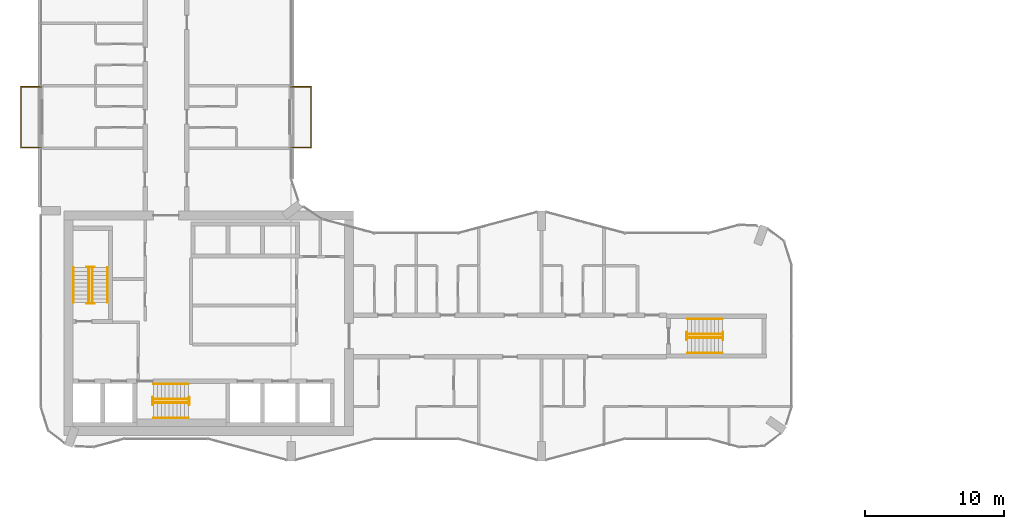
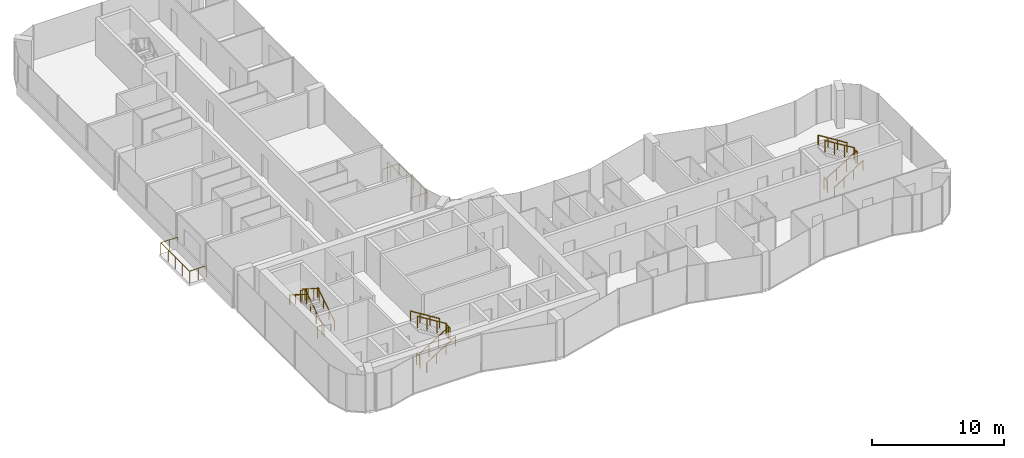
# One storey, part 20 of 22: 20 railings.
"""IFC4 building model written with IfcOpenShell, lengths in metres."""

from ifc_helpers import new_model, si_unit, direction, frame, origin, origin_2d, place, context, subcontext, project, spatial, circle, extrude, material, type_object, element, save


model = new_model("IFC4")

# Units and contexts
model_context = context("Model", 3, precision=1e-05, world=origin(), true_north=direction((0.0, 1.0)))
body_context = subcontext(model_context, "Body", "Model", "MODEL_VIEW")
ifc_project = project(units=[si_unit("LENGTHUNIT", "METRE"), si_unit("AREAUNIT", "SQUARE_METRE"), si_unit("VOLUMEUNIT", "CUBIC_METRE"), si_unit("PLANEANGLEUNIT", "RADIAN"), si_unit("MASSUNIT", "GRAM", prefix="KILO")], contexts=[model_context])

# Site, building, storey
site_placement = place(None, origin())
site = spatial("IfcSite", under=ifc_project, at=site_placement, CompositionType="ELEMENT")
building_placement = place(site_placement, origin())
building = spatial("IfcBuilding", under=site, at=building_placement, Name="Plateau Cross Towers", CompositionType="ELEMENT")
storey_placement = place(building_placement, frame((0.0, 0.0, 99.300048828125)))
storey = spatial("IfcBuildingStorey", under=building, at=storey_placement, Name="L25", CompositionType="ELEMENT", Elevation=99.300048828125)

# Railings
ifc_material_1 = material(Name="Stainless steel and toughened glass", Category="steel")
railing_type_1 = type_object("IfcRailingType", Name="Glass balustrade guard 1100", PredefinedType="GUARDRAIL", material=ifc_material_1)
railing_1_placement = place(storey_placement, frame((0.050048828125, 22.570068359375, 0.0)))
element("IfcRailing", 1, at=railing_1_placement, inside=storey, type_object=railing_type_1, Name="Guard guard1", PredefinedType="GUARDRAIL", context=body_context, shape_type="SweptSolid", body=[
    extrude(circle(Radius=0.02392578125, at=origin_2d()), frame((0.0, 0.0, 1.076171875), z_axis=(-1.0, 0.0, 0.0), x_axis=(0.0, -1.0, 0.0)), (0.0, 0.0, 1.0), 1.47998046875),
    extrude(circle(Radius=0.02392578125, at=origin_2d()), frame((-1.47998046875, 0.0, 1.076171875), z_axis=(0.0, 1.0, 0.0), x_axis=(-1.0, 0.0, 0.0)), (0.0, 0.0, 1.0), 4.35986328125),
    extrude(circle(Radius=0.02392578125, at=origin_2d()), frame((-1.47998046875, 4.35986328125, 1.076171875), z_axis=(1.0, 0.0, 0.0), x_axis=(0.0, 1.0, 0.0)), (0.0, 0.0, 1.0), 1.47998046875),
    extrude(circle(Radius=0.02099609375, at=origin_2d()), origin(), (0.0, 0.0, 1.0), 1.052001953125),
    extrude(circle(Radius=0.02099609375, at=origin_2d()), frame((-0.739990234375, 0.0, 0.0)), (0.0, 0.0, 1.0), 1.052001953125),
    extrude(circle(Radius=0.02099609375, at=origin_2d()), frame((-1.47998046875, 0.0, 0.0)), (0.0, 0.0, 1.0), 1.052001953125),
    extrude(circle(Radius=0.02099609375, at=origin_2d()), frame((-1.47998046875, 1.08984375, 0.0)), (0.0, 0.0, 1.0), 1.052001953125),
    extrude(circle(Radius=0.02099609375, at=origin_2d()), frame((-1.47998046875, 2.179931640625, 0.0)), (0.0, 0.0, 1.0), 1.052001953125),
    extrude(circle(Radius=0.02099609375, at=origin_2d()), frame((-1.47998046875, 3.27001953125, 0.0)), (0.0, 0.0, 1.0), 1.052001953125),
    extrude(circle(Radius=0.02099609375, at=origin_2d()), frame((-1.47998046875, 4.35986328125, 0.0)), (0.0, 0.0, 1.0), 1.052001953125),
    extrude(circle(Radius=0.02099609375, at=origin_2d()), frame((-0.739990234375, 4.35986328125, 0.0)), (0.0, 0.0, 1.0), 1.052001953125),
    extrude(circle(Radius=0.02099609375, at=origin_2d()), frame((0.0, 4.35986328125, 0.0)), (0.0, 0.0, 1.0), 1.052001953125),
])
railing_2_placement = place(storey_placement, frame((17.949951171875, 26.929931640625, 0.0)))
element("IfcRailing", 2, at=railing_2_placement, inside=storey, type_object=railing_type_1, Name="Guard guard1", PredefinedType="GUARDRAIL", context=body_context, shape_type="SweptSolid", body=[
    extrude(circle(Radius=0.02392578125, at=origin_2d()), frame((0.0, 0.0, 1.076171875), z_axis=(1.0, 0.0, 0.0), x_axis=(0.0, 1.0, 0.0)), (0.0, 0.0, 1.0), 1.47998046875),
    extrude(circle(Radius=0.02392578125, at=origin_2d()), frame((1.47998046875, 0.0, 1.076171875), z_axis=(0.0, -1.0, 0.0), x_axis=(1.0, 0.0, 0.0)), (0.0, 0.0, 1.0), 4.35986328125),
    extrude(circle(Radius=0.02392578125, at=origin_2d()), frame((1.47998046875, -4.35986328125, 1.076171875), z_axis=(-1.0, 0.0, 0.0), x_axis=(0.0, -1.0, 0.0)), (0.0, 0.0, 1.0), 1.47998046875),
    extrude(circle(Radius=0.02099609375, at=origin_2d()), origin(), (0.0, 0.0, 1.0), 1.052001953125),
    extrude(circle(Radius=0.02099609375, at=origin_2d()), frame((0.739990234375, 0.0, 0.0)), (0.0, 0.0, 1.0), 1.052001953125),
    extrude(circle(Radius=0.02099609375, at=origin_2d()), frame((1.47998046875, 0.0, 0.0)), (0.0, 0.0, 1.0), 1.052001953125),
    extrude(circle(Radius=0.02099609375, at=origin_2d()), frame((1.47998046875, -1.08984375, 0.0)), (0.0, 0.0, 1.0), 1.052001953125),
    extrude(circle(Radius=0.02099609375, at=origin_2d()), frame((1.47998046875, -2.179931640625, 0.0)), (0.0, 0.0, 1.0), 1.052001953125),
    extrude(circle(Radius=0.02099609375, at=origin_2d()), frame((1.47998046875, -3.27001953125, 0.0)), (0.0, 0.0, 1.0), 1.052001953125),
    extrude(circle(Radius=0.02099609375, at=origin_2d()), frame((1.47998046875, -4.35986328125, 0.0)), (0.0, 0.0, 1.0), 1.052001953125),
    extrude(circle(Radius=0.02099609375, at=origin_2d()), frame((0.739990234375, -4.35986328125, 0.0)), (0.0, 0.0, 1.0), 1.052001953125),
    extrude(circle(Radius=0.02099609375, at=origin_2d()), frame((0.0, -4.35986328125, 0.0)), (0.0, 0.0, 1.0), 1.052001953125),
])
railing_type_2 = type_object("IfcRailingType", Name="RL-GUARD-1100", PredefinedType="GUARDRAIL", material=ifc_material_1)
railing_3_placement = place(storey_placement, frame((3.699951171875, 11.39990234375, 0.175048828125)))
element("IfcRailing", 3, at=railing_3_placement, inside=storey, type_object=railing_type_2, Name="L25 ST-1 stair guard 1", PredefinedType="GUARDRAIL", context=body_context, shape_type="SweptSolid", body=[
    extrude(circle(Radius=0.02392578125, at=origin_2d()), frame((0.0, 0.0, 1.076171875), z_axis=(0.0, 0.848007534815, 0.529984170421), x_axis=(-1.0, 0.0, 0.0)), (0.0, 0.0, 1.0), 2.9716796875),
    extrude(circle(Radius=0.02099609375, at=origin_2d()), origin(), (0.0, 0.0, 1.0), 1.052001953125),
    extrude(circle(Radius=0.02099609375, at=origin_2d()), frame((0.0, 0.840087890625, 0.52490234375)), (0.0, 0.0, 1.0), 1.052001953125),
    extrude(circle(Radius=0.02099609375, at=origin_2d()), frame((0.0, 1.679931640625, 1.050048828125)), (0.0, 0.0, 1.0), 1.052001953125),
    extrude(circle(Radius=0.02099609375, at=origin_2d()), frame((0.0, 2.52001953125, 1.574951171875)), (0.0, 0.0, 1.0), 1.052001953125),
])
railing_4_placement = place(storey_placement, frame((3.85009765625, 13.969970703125, 1.75)))
element("IfcRailing", 4, at=railing_4_placement, inside=storey, type_object=railing_type_2, Name="L25 ST-1 stair guard 2", PredefinedType="GUARDRAIL", context=body_context, shape_type="SweptSolid", body=[
    extrude(circle(Radius=0.02392578125, at=origin_2d()), frame((0.0, 0.0, 1.076171875), z_axis=(-1.0, 0.0, 0.0), x_axis=(0.0, -1.0, 0.0)), (0.0, 0.0, 1.0), 0.550048828125),
    extrude(circle(Radius=0.02099609375, at=origin_2d()), origin(), (0.0, 0.0, 1.0), 1.052001953125),
    extrude(circle(Radius=0.02099609375, at=origin_2d()), frame((-0.550048828125, 0.0, 0.0)), (0.0, 0.0, 1.0), 1.052001953125),
])
railing_5_placement = place(storey_placement, frame((3.449951171875, 13.919921875, 1.925048828125)))
element("IfcRailing", 5, at=railing_5_placement, inside=storey, type_object=railing_type_2, Name="L25 ST-1 stair guard 3", PredefinedType="GUARDRAIL", context=body_context, shape_type="SweptSolid", body=[
    extrude(circle(Radius=0.02392578125, at=origin_2d()), frame((0.0, 0.0, 1.076171875), z_axis=(0.0, -0.852616386126, 0.522537365276), x_axis=(1.0, 0.0, 0.0)), (0.0, 0.0, 1.0), 3.01416015625),
    extrude(circle(Radius=0.02099609375, at=origin_2d()), origin(), (0.0, 0.0, 1.0), 1.052001953125),
    extrude(circle(Radius=0.02099609375, at=origin_2d()), frame((0.0, -0.856689453125, 0.52490234375)), (0.0, 0.0, 1.0), 1.052001953125),
    extrude(circle(Radius=0.02099609375, at=origin_2d()), frame((0.0, -1.713134765625, 1.050048828125)), (0.0, 0.0, 1.0), 1.052001953125),
    extrude(circle(Radius=0.02099609375, at=origin_2d()), frame((0.0, -2.56982421875, 1.574951171875)), (0.0, 0.0, 1.0), 1.052001953125),
])
railing_6_placement = place(storey_placement, frame((3.85009765625, 11.35009765625, 0.0)))
element("IfcRailing", 6, at=railing_6_placement, inside=storey, type_object=railing_type_2, Name="L25 ST-1 stair guard 4", PredefinedType="GUARDRAIL", context=body_context, shape_type="SweptSolid", body=[
    extrude(circle(Radius=0.02392578125, at=origin_2d()), frame((0.0, 0.0, 1.076171875), z_axis=(-1.0, 0.0, 0.0), x_axis=(0.0, -1.0, 0.0)), (0.0, 0.0, 1.0), 0.550048828125),
    extrude(circle(Radius=0.02099609375, at=origin_2d()), origin(), (0.0, 0.0, 1.0), 1.052001953125),
    extrude(circle(Radius=0.02099609375, at=origin_2d()), frame((-0.550048828125, 0.0, 0.0)), (0.0, 0.0, 1.0), 1.052001953125),
])
railing_7_placement = place(storey_placement, frame((8.10009765625, 4.199951171875, 0.175048828125)))
element("IfcRailing", 7, at=railing_7_placement, inside=storey, type_object=railing_type_2, Name="L25 ST-2 stair guard 1", PredefinedType="GUARDRAIL", context=body_context, shape_type="SweptSolid", body=[
    extrude(circle(Radius=0.02392578125, at=origin_2d()), frame((0.0, 0.0, 1.076171875), z_axis=(0.848007534815, 0.0, 0.529984170421), x_axis=(0.0, 1.0, 0.0)), (0.0, 0.0, 1.0), 2.9716796875),
    extrude(circle(Radius=0.02099609375, at=origin_2d()), origin(), (0.0, 0.0, 1.0), 1.052001953125),
    extrude(circle(Radius=0.02099609375, at=origin_2d()), frame((0.840087890625, 0.0, 0.52490234375)), (0.0, 0.0, 1.0), 1.052001953125),
    extrude(circle(Radius=0.02099609375, at=origin_2d()), frame((1.679931640625, 0.0, 1.050048828125)), (0.0, 0.0, 1.0), 1.052001953125),
    extrude(circle(Radius=0.02099609375, at=origin_2d()), frame((2.52001953125, 0.0, 1.574951171875)), (0.0, 0.0, 1.0), 1.052001953125),
])
railing_8_placement = place(storey_placement, frame((10.669921875, 4.050048828125, 1.75)))
element("IfcRailing", 8, at=railing_8_placement, inside=storey, type_object=railing_type_2, Name="L25 ST-2 stair guard 2", PredefinedType="GUARDRAIL", context=body_context, shape_type="SweptSolid", body=[
    extrude(circle(Radius=0.02392578125, at=origin_2d()), frame((0.0, 0.0, 1.076171875), z_axis=(0.0, 1.0, 0.0), x_axis=(-1.0, 0.0, 0.0)), (0.0, 0.0, 1.0), 0.550048828125),
    extrude(circle(Radius=0.02099609375, at=origin_2d()), origin(), (0.0, 0.0, 1.0), 1.052001953125),
    extrude(circle(Radius=0.02099609375, at=origin_2d()), frame((0.0, 0.550048828125, 0.0)), (0.0, 0.0, 1.0), 1.052001953125),
])
railing_9_placement = place(storey_placement, frame((10.6201171875, 4.449951171875, 1.925048828125)))
element("IfcRailing", 9, at=railing_9_placement, inside=storey, type_object=railing_type_2, Name="L25 ST-2 stair guard 3", PredefinedType="GUARDRAIL", context=body_context, shape_type="SweptSolid", body=[
    extrude(circle(Radius=0.02392578125, at=origin_2d()), frame((0.0, 0.0, 1.076171875), z_axis=(-0.852638500773, 0.0, 0.522501279423), x_axis=(0.0, -1.0, 0.0)), (0.0, 0.0, 1.0), 3.01416015625),
    extrude(circle(Radius=0.02099609375, at=origin_2d()), origin(), (0.0, 0.0, 1.0), 1.052001953125),
    extrude(circle(Radius=0.02099609375, at=origin_2d()), frame((-0.856689453125, 0.0, 0.52490234375)), (0.0, 0.0, 1.0), 1.052001953125),
    extrude(circle(Radius=0.02099609375, at=origin_2d()), frame((-1.71337890625, 0.0, 1.050048828125)), (0.0, 0.0, 1.0), 1.052001953125),
    extrude(circle(Radius=0.02099609375, at=origin_2d()), frame((-2.570068359375, 0.0, 1.574951171875)), (0.0, 0.0, 1.0), 1.052001953125),
])
railing_10_placement = place(storey_placement, frame((8.050048828125, 4.050048828125, 0.0)))
element("IfcRailing", 10, at=railing_10_placement, inside=storey, type_object=railing_type_2, Name="L25 ST-2 stair guard 4", PredefinedType="GUARDRAIL", context=body_context, shape_type="SweptSolid", body=[
    extrude(circle(Radius=0.02392578125, at=origin_2d()), frame((0.0, 0.0, 1.076171875), z_axis=(0.0, 1.0, 0.0), x_axis=(-1.0, 0.0, 0.0)), (0.0, 0.0, 1.0), 0.550048828125),
    extrude(circle(Radius=0.02099609375, at=origin_2d()), origin(), (0.0, 0.0, 1.0), 1.052001953125),
    extrude(circle(Radius=0.02099609375, at=origin_2d()), frame((0.0, 0.550048828125, 0.0)), (0.0, 0.0, 1.0), 1.052001953125),
])
railing_11_placement = place(storey_placement, frame((46.5, 8.875, 0.175048828125)))
element("IfcRailing", 11, at=railing_11_placement, inside=storey, type_object=railing_type_2, Name="L25 ES-E stair guard 1", PredefinedType="GUARDRAIL", context=body_context, shape_type="SweptSolid", body=[
    extrude(circle(Radius=0.02392578125, at=origin_2d()), frame((0.0, 0.0, 1.076171875), z_axis=(0.848007534815, 0.0, 0.529984170421), x_axis=(0.0, 1.0, 0.0)), (0.0, 0.0, 1.0), 2.9716796875),
    extrude(circle(Radius=0.02099609375, at=origin_2d()), origin(), (0.0, 0.0, 1.0), 1.052001953125),
    extrude(circle(Radius=0.02099609375, at=origin_2d()), frame((0.840087890625, 0.0, 0.52490234375)), (0.0, 0.0, 1.0), 1.052001953125),
    extrude(circle(Radius=0.02099609375, at=origin_2d()), frame((1.679931640625, 0.0, 1.050048828125)), (0.0, 0.0, 1.0), 1.052001953125),
    extrude(circle(Radius=0.02099609375, at=origin_2d()), frame((2.52001953125, 0.0, 1.574951171875)), (0.0, 0.0, 1.0), 1.052001953125),
])
railing_12_placement = place(storey_placement, frame((49.070068359375, 8.72509765625, 1.75)))
element("IfcRailing", 12, at=railing_12_placement, inside=storey, type_object=railing_type_2, Name="L25 ES-E stair guard 2", PredefinedType="GUARDRAIL", context=body_context, shape_type="SweptSolid", body=[
    extrude(circle(Radius=0.02392578125, at=origin_2d()), frame((0.0, 0.0, 1.076171875), z_axis=(0.0, 1.0, 0.0), x_axis=(-1.0, 0.0, 0.0)), (0.0, 0.0, 1.0), 0.5498046875),
    extrude(circle(Radius=0.02099609375, at=origin_2d()), origin(), (0.0, 0.0, 1.0), 1.052001953125),
    extrude(circle(Radius=0.02099609375, at=origin_2d()), frame((0.0, 0.5498046875, 0.0)), (0.0, 0.0, 1.0), 1.052001953125),
])
railing_13_placement = place(storey_placement, frame((49.02001953125, 9.125, 1.925048828125)))
element("IfcRailing", 13, at=railing_13_placement, inside=storey, type_object=railing_type_2, Name="L25 ES-E stair guard 3", PredefinedType="GUARDRAIL", context=body_context, shape_type="SweptSolid", body=[
    extrude(circle(Radius=0.02392578125, at=origin_2d()), frame((0.0, 0.0, 1.076171875), z_axis=(-0.852638500773, 0.0, 0.522501279423), x_axis=(0.0, -1.0, 0.0)), (0.0, 0.0, 1.0), 3.01416015625),
    extrude(circle(Radius=0.02099609375, at=origin_2d()), origin(), (0.0, 0.0, 1.0), 1.052001953125),
    extrude(circle(Radius=0.02099609375, at=origin_2d()), frame((-0.856689453125, 0.0, 0.52490234375)), (0.0, 0.0, 1.0), 1.052001953125),
    extrude(circle(Radius=0.02099609375, at=origin_2d()), frame((-1.71337890625, 0.0, 1.050048828125)), (0.0, 0.0, 1.0), 1.052001953125),
    extrude(circle(Radius=0.02099609375, at=origin_2d()), frame((-2.570068359375, 0.0, 1.574951171875)), (0.0, 0.0, 1.0), 1.052001953125),
])
railing_14_placement = place(storey_placement, frame((46.449951171875, 8.72509765625, 0.0)))
element("IfcRailing", 14, at=railing_14_placement, inside=storey, type_object=railing_type_2, Name="L25 ES-E stair guard 4", PredefinedType="GUARDRAIL", context=body_context, shape_type="SweptSolid", body=[
    extrude(circle(Radius=0.02392578125, at=origin_2d()), frame((0.0, 0.0, 1.076171875), z_axis=(0.0, 1.0, 0.0), x_axis=(-1.0, 0.0, 0.0)), (0.0, 0.0, 1.0), 0.5498046875),
    extrude(circle(Radius=0.02099609375, at=origin_2d()), origin(), (0.0, 0.0, 1.0), 1.052001953125),
    extrude(circle(Radius=0.02099609375, at=origin_2d()), frame((0.0, 0.5498046875, 0.0)), (0.0, 0.0, 1.0), 1.052001953125),
])
ifc_material_2 = material(Name="Black anodised aluminium", Category="aluminium")
railing_type_3 = type_object("IfcRailingType", Name="RL-HANDRAIL-900", PredefinedType="HANDRAIL", material=ifc_material_2)
railing_15_placement = place(storey_placement, frame((4.800048828125, 11.39990234375, 0.175048828125)))
element("IfcRailing", 15, at=railing_15_placement, inside=storey, type_object=railing_type_3, Name="L25 ST-1 stair handrail 1", PredefinedType="HANDRAIL", context=body_context, shape_type="SweptSolid", body=[
    extrude(circle(Radius=0.02392578125, at=origin_2d()), frame((0.0, 0.0, 0.8759765625), z_axis=(0.0, 0.848007534815, 0.529984170421), x_axis=(-1.0, 0.0, 0.0)), (0.0, 0.0, 1.0), 2.9716796875),
    extrude(circle(Radius=0.02099609375, at=origin_2d()), origin(), (0.0, 0.0, 1.0), 0.851806640625),
    extrude(circle(Radius=0.02099609375, at=origin_2d()), frame((0.0, 0.840087890625, 0.52490234375)), (0.0, 0.0, 1.0), 0.851806640625),
    extrude(circle(Radius=0.02099609375, at=origin_2d()), frame((0.0, 1.679931640625, 1.050048828125)), (0.0, 0.0, 1.0), 0.851806640625),
    extrude(circle(Radius=0.02099609375, at=origin_2d()), frame((0.0, 2.52001953125, 1.574951171875)), (0.0, 0.0, 1.0), 0.851806640625),
])
railing_16_placement = place(storey_placement, frame((2.35009765625, 13.919921875, 1.925048828125)))
element("IfcRailing", 16, at=railing_16_placement, inside=storey, type_object=railing_type_3, Name="L25 ST-1 stair handrail 2", PredefinedType="HANDRAIL", context=body_context, shape_type="SweptSolid", body=[
    extrude(circle(Radius=0.02392578125, at=origin_2d()), frame((0.0, 0.0, 0.8759765625), z_axis=(0.0, -0.848007534815, 0.529984170421), x_axis=(1.0, 0.0, 0.0)), (0.0, 0.0, 1.0), 2.9716796875),
    extrude(circle(Radius=0.02099609375, at=origin_2d()), origin(), (0.0, 0.0, 1.0), 0.851806640625),
    extrude(circle(Radius=0.02099609375, at=origin_2d()), frame((0.0, -0.840087890625, 0.52490234375)), (0.0, 0.0, 1.0), 0.851806640625),
    extrude(circle(Radius=0.02099609375, at=origin_2d()), frame((0.0, -1.679931640625, 1.050048828125)), (0.0, 0.0, 1.0), 0.851806640625),
    extrude(circle(Radius=0.02099609375, at=origin_2d()), frame((0.0, -2.52001953125, 1.574951171875)), (0.0, 0.0, 1.0), 0.851806640625),
])
railing_17_placement = place(storey_placement, frame((8.10009765625, 3.10009765625, 0.175048828125)))
element("IfcRailing", 17, at=railing_17_placement, inside=storey, type_object=railing_type_3, Name="L25 ST-2 stair handrail 1", PredefinedType="HANDRAIL", context=body_context, shape_type="SweptSolid", body=[
    extrude(circle(Radius=0.02392578125, at=origin_2d()), frame((0.0, 0.0, 0.8759765625), z_axis=(0.848007534815, 0.0, 0.529984170421), x_axis=(0.0, 1.0, 0.0)), (0.0, 0.0, 1.0), 2.9716796875),
    extrude(circle(Radius=0.02099609375, at=origin_2d()), origin(), (0.0, 0.0, 1.0), 0.851806640625),
    extrude(circle(Radius=0.02099609375, at=origin_2d()), frame((0.840087890625, 0.0, 0.52490234375)), (0.0, 0.0, 1.0), 0.851806640625),
    extrude(circle(Radius=0.02099609375, at=origin_2d()), frame((1.679931640625, 0.0, 1.050048828125)), (0.0, 0.0, 1.0), 0.851806640625),
    extrude(circle(Radius=0.02099609375, at=origin_2d()), frame((2.52001953125, 0.0, 1.574951171875)), (0.0, 0.0, 1.0), 0.851806640625),
])
railing_18_placement = place(storey_placement, frame((10.6201171875, 5.550048828125, 1.925048828125)))
element("IfcRailing", 18, at=railing_18_placement, inside=storey, type_object=railing_type_3, Name="L25 ST-2 stair handrail 2", PredefinedType="HANDRAIL", context=body_context, shape_type="SweptSolid", body=[
    extrude(circle(Radius=0.02392578125, at=origin_2d()), frame((0.0, 0.0, 0.8759765625), z_axis=(-0.848007534815, 0.0, 0.529984170421), x_axis=(0.0, -1.0, 0.0)), (0.0, 0.0, 1.0), 2.9716796875),
    extrude(circle(Radius=0.02099609375, at=origin_2d()), origin(), (0.0, 0.0, 1.0), 0.851806640625),
    extrude(circle(Radius=0.02099609375, at=origin_2d()), frame((-0.840087890625, 0.0, 0.52490234375)), (0.0, 0.0, 1.0), 0.851806640625),
    extrude(circle(Radius=0.02099609375, at=origin_2d()), frame((-1.679931640625, 0.0, 1.050048828125)), (0.0, 0.0, 1.0), 0.851806640625),
    extrude(circle(Radius=0.02099609375, at=origin_2d()), frame((-2.52001953125, 0.0, 1.574951171875)), (0.0, 0.0, 1.0), 0.851806640625),
])
railing_19_placement = place(storey_placement, frame((46.5, 7.77490234375, 0.175048828125)))
element("IfcRailing", 19, at=railing_19_placement, inside=storey, type_object=railing_type_3, Name="L25 ES-E stair handrail 1", PredefinedType="HANDRAIL", context=body_context, shape_type="SweptSolid", body=[
    extrude(circle(Radius=0.02392578125, at=origin_2d()), frame((0.0, 0.0, 0.8759765625), z_axis=(0.848007534815, 0.0, 0.529984170421), x_axis=(0.0, 1.0, 0.0)), (0.0, 0.0, 1.0), 2.9716796875),
    extrude(circle(Radius=0.02099609375, at=origin_2d()), origin(), (0.0, 0.0, 1.0), 0.851806640625),
    extrude(circle(Radius=0.02099609375, at=origin_2d()), frame((0.840087890625, 0.0, 0.52490234375)), (0.0, 0.0, 1.0), 0.851806640625),
    extrude(circle(Radius=0.02099609375, at=origin_2d()), frame((1.679931640625, 0.0, 1.050048828125)), (0.0, 0.0, 1.0), 0.851806640625),
    extrude(circle(Radius=0.02099609375, at=origin_2d()), frame((2.52001953125, 0.0, 1.574951171875)), (0.0, 0.0, 1.0), 0.851806640625),
])
railing_20_placement = place(storey_placement, frame((49.02001953125, 10.22509765625, 1.925048828125)))
element("IfcRailing", 20, at=railing_20_placement, inside=storey, type_object=railing_type_3, Name="L25 ES-E stair handrail 2", PredefinedType="HANDRAIL", context=body_context, shape_type="SweptSolid", body=[
    extrude(circle(Radius=0.02392578125, at=origin_2d()), frame((0.0, 0.0, 0.8759765625), z_axis=(-0.848007534815, 0.0, 0.529984170421), x_axis=(0.0, -1.0, 0.0)), (0.0, 0.0, 1.0), 2.9716796875),
    extrude(circle(Radius=0.02099609375, at=origin_2d()), origin(), (0.0, 0.0, 1.0), 0.851806640625),
    extrude(circle(Radius=0.02099609375, at=origin_2d()), frame((-0.840087890625, 0.0, 0.52490234375)), (0.0, 0.0, 1.0), 0.851806640625),
    extrude(circle(Radius=0.02099609375, at=origin_2d()), frame((-1.679931640625, 0.0, 1.050048828125)), (0.0, 0.0, 1.0), 0.851806640625),
    extrude(circle(Radius=0.02099609375, at=origin_2d()), frame((-2.52001953125, 0.0, 1.574951171875)), (0.0, 0.0, 1.0), 0.851806640625),
])

save(model, "model.ifc")
